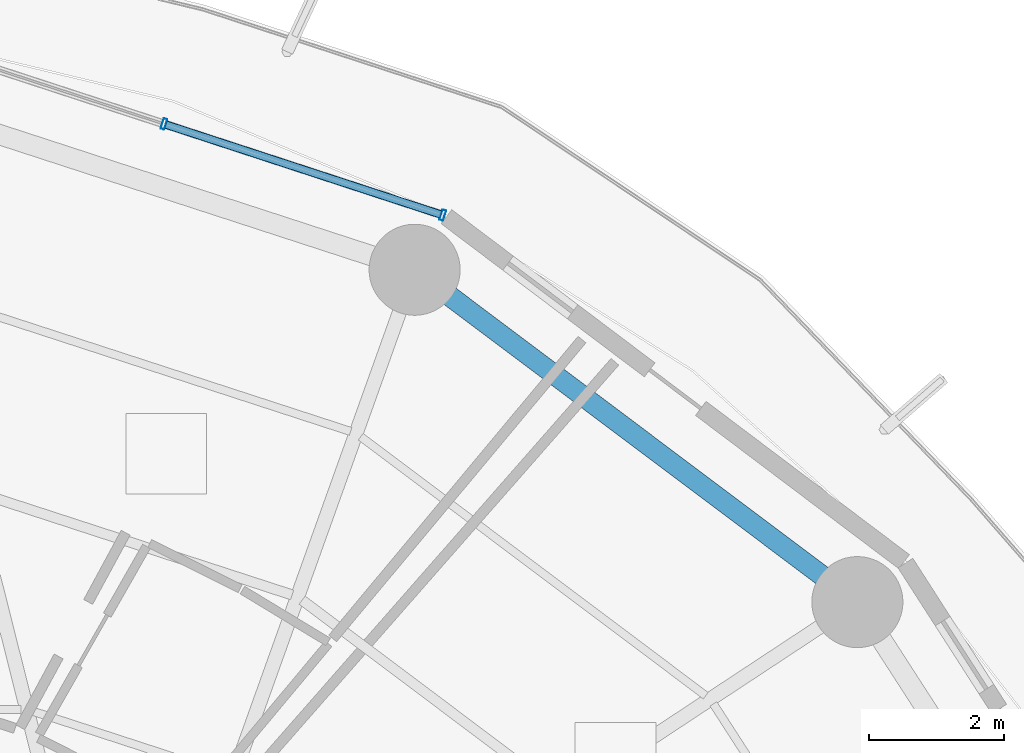
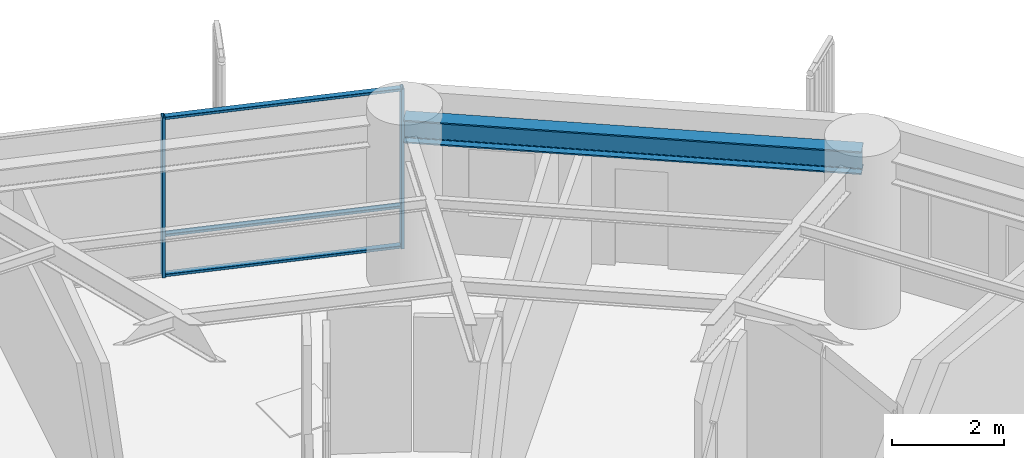
# One storey, part 24 of 36: 5 members, 1 beam, 1 element without a shape of its own.
"""IFC4 building model written with IfcOpenShell, lengths in metres."""

from ifc_helpers import new_model, si_unit, direction, frame, origin, origin_2d, place, context, subcontext, project, spatial, hollow_rectangle, i_section, extrude, material, layer, layer_set, material_profile, profile_set, type_object, element, aggregate, save


model = new_model("IFC4")

# Units and contexts
model_context = context("Model", 3, precision=1e-05, world=origin(), true_north=direction((0.0, 1.0)))
body_context = subcontext(model_context, "Body", "Model", "MODEL_VIEW")
ifc_project = project(units=[si_unit("LENGTHUNIT", "METRE"), si_unit("AREAUNIT", "SQUARE_METRE"), si_unit("VOLUMEUNIT", "CUBIC_METRE"), si_unit("PLANEANGLEUNIT", "RADIAN"), si_unit("MASSUNIT", "GRAM", prefix="KILO")], contexts=[model_context])

# Site, building, storey
site_placement = place(None, origin())
site = spatial("IfcSite", under=ifc_project, at=site_placement, CompositionType="ELEMENT")
building_placement = place(site_placement, origin())
building = spatial("IfcBuilding", under=site, at=building_placement, Name="Kelanora Arch Commons", CompositionType="ELEMENT")
storey_placement = place(building_placement, frame((0.0, 0.0, 98.85009765625)))
storey = spatial("IfcBuildingStorey", under=building, at=storey_placement, Name="L25", CompositionType="ELEMENT", Elevation=98.85009765625)

# Beam
ifc_material_1 = material(Name="Steel S355", Category="steel")
ifc_material_profile_1 = material_profile(ifc_material_1, i_section(OverallWidth=0.300048828125, OverallDepth=0.5, WebThickness=0.014404296875, FlangeThickness=0.028076171875, FilletRadius=0.027099609375, at=origin_2d()), Name="HEB500")
ifc_profile_set_1 = profile_set([ifc_material_profile_1], Name="Steel S355")
beam_type = type_object("IfcBeamType", Name="BM-SPN-Z2", PredefinedType="SPANDREL", material=ifc_profile_set_1)
beam_placement = place(storey_placement, frame((92.906005859375, 72.19287109375, 3.239990234375), z_axis=(-0.799735861602, 0.600352023123, 0.0), x_axis=(-0.600352023123, -0.799735861602, 0.0)))
element("IfcBeam", 1, at=beam_placement, inside=storey, type_object=beam_type, Name="Perimeter Spandrel Beam BS-04 L25", PredefinedType="SPANDREL", context=body_context, shape_type="SweptSolid", body=[
    extrude(i_section(OverallWidth=0.300048828125, OverallDepth=0.5, WebThickness=0.014404296875, FlangeThickness=0.028076171875, FilletRadius=0.027099609375, at=origin_2d()), origin(), (0.0, 0.0, 1.0), 8.210205078125),
])

# Curtain wall, members
ifc_material_2 = material(Name="Terracotta ceramic-fritted low-E glass and aluminium", Category="masonry")
ifc_layer = layer(ifc_material_2, 0.159912109375)
ifc_layer_set = layer_set([ifc_layer], Name="Terracotta ceramic-fritted low-E glass and aluminium")
curtain_wall_type = type_object("IfcCurtainWallType", Name="CW-SYS-01", PredefinedType="NOTDEFINED", material=ifc_layer_set)
curtain_wall_placement = place(storey_placement, origin())
curtain_wall = element("IfcCurtainWall", 2, at=curtain_wall_placement, inside=storey, type_object=curtain_wall_type, Name="Unitised Curtain Wall L25-B03", PredefinedType="NOTDEFINED")
ifc_material_3 = material(Name="Powder-coated aluminium terracotta", Category="masonry")
ifc_material_profile_2 = material_profile(ifc_material_3, hollow_rectangle(XDim=0.159912109375, YDim=0.06005859375, WallThickness=0.0048828125, InnerFilletRadius=0.0048828125, OuterFilletRadius=0.010009765625, at=origin_2d()), Name="CWM160x60")
ifc_profile_set_2 = profile_set([ifc_material_profile_2], Name="Powder-coated aluminium terracotta")
member_type_1 = type_object("IfcMemberType", Name="CWM-STD", PredefinedType="MULLION", material=ifc_profile_set_2)
member_1_placement = place(storey_placement, frame((86.757080078125, 77.9326171875, 0.0), z_axis=(0.0, 0.0, 1.0), x_axis=(-0.31080470294, -0.950473795867, 0.0)))
member_1 = element("IfcMember", 3, at=member_1_placement, type_object=member_type_1, Name="CW-01 mullion 1", PredefinedType="MULLION", context=body_context, shape_type="SweptSolid", body=[
    extrude(hollow_rectangle(XDim=0.159912109375, YDim=0.06005859375, WallThickness=0.0048828125, InnerFilletRadius=0.0048828125, OuterFilletRadius=0.010009765625, at=origin_2d()), origin(), (0.0, 0.0, 1.0), 3.474853515625),
])
member_2_placement = place(storey_placement, frame((82.622802734375, 79.28466796875, 0.0), z_axis=(0.0, 0.0, 1.0), x_axis=(-0.31080470294, -0.950473795867, 0.0)))
member_2 = element("IfcMember", 4, at=member_2_placement, type_object=member_type_1, Name="CW-01 mullion 2", PredefinedType="MULLION", context=body_context, shape_type="SweptSolid", body=[
    extrude(hollow_rectangle(XDim=0.159912109375, YDim=0.06005859375, WallThickness=0.0048828125, InnerFilletRadius=0.0048828125, OuterFilletRadius=0.010009765625, at=origin_2d()), origin(), (0.0, 0.0, 1.0), 3.474853515625),
])
ifc_material_profile_3 = material_profile(ifc_material_3, hollow_rectangle(XDim=0.1201171875, YDim=0.06005859375, WallThickness=0.0048828125, InnerFilletRadius=0.0048828125, OuterFilletRadius=0.010009765625, at=origin_2d()), Name="CWT120x60")
ifc_profile_set_3 = profile_set([ifc_material_profile_3], Name="Powder-coated aluminium terracotta")
member_type_2 = type_object("IfcMemberType", Name="CWT-STD", PredefinedType="USERDEFINED", material=ifc_profile_set_3)
member_3_placement = place(storey_placement, frame((86.728759765625, 77.94189453125, 0.02978515625), z_axis=(-0.950466230394, 0.310827838008, 0.0), x_axis=(-0.310827838008, -0.950466230394, 0.0)))
member_3 = element("IfcMember", 5, at=member_3_placement, type_object=member_type_2, Name="CW-01 transom 1.1", ObjectType="TRANSOM", PredefinedType="USERDEFINED", context=body_context, shape_type="SweptSolid", body=[
    extrude(hollow_rectangle(XDim=0.1201171875, YDim=0.06005859375, WallThickness=0.0048828125, InnerFilletRadius=0.0048828125, OuterFilletRadius=0.010009765625, at=origin_2d()), origin(), (0.0, 0.0, 1.0), 4.2900390625),
])
member_4_placement = place(storey_placement, frame((86.728759765625, 77.94189453125, 0.89990234375), z_axis=(-0.950466230394, 0.310827838008, 0.0), x_axis=(-0.310827838008, -0.950466230394, 0.0)))
member_4 = element("IfcMember", 6, at=member_4_placement, type_object=member_type_2, Name="CW-01 transom 1.2", ObjectType="TRANSOM", PredefinedType="USERDEFINED", context=body_context, shape_type="SweptSolid", body=[
    extrude(hollow_rectangle(XDim=0.1201171875, YDim=0.06005859375, WallThickness=0.0048828125, InnerFilletRadius=0.0048828125, OuterFilletRadius=0.010009765625, at=origin_2d()), origin(), (0.0, 0.0, 1.0), 4.2900390625),
])
member_5_placement = place(storey_placement, frame((86.728759765625, 77.94189453125, 3.44482421875), z_axis=(-0.950466230394, 0.310827838008, 0.0), x_axis=(-0.310827838008, -0.950466230394, 0.0)))
member_5 = element("IfcMember", 7, at=member_5_placement, type_object=member_type_2, Name="CW-01 transom 1.3", ObjectType="TRANSOM", PredefinedType="USERDEFINED", context=body_context, shape_type="SweptSolid", body=[
    extrude(hollow_rectangle(XDim=0.1201171875, YDim=0.06005859375, WallThickness=0.0048828125, InnerFilletRadius=0.0048828125, OuterFilletRadius=0.010009765625, at=origin_2d()), origin(), (0.0, 0.0, 1.0), 4.2900390625),
])
aggregate(curtain_wall, [member_1, member_2, member_3, member_4, member_5])

save(model, "model.ifc")
